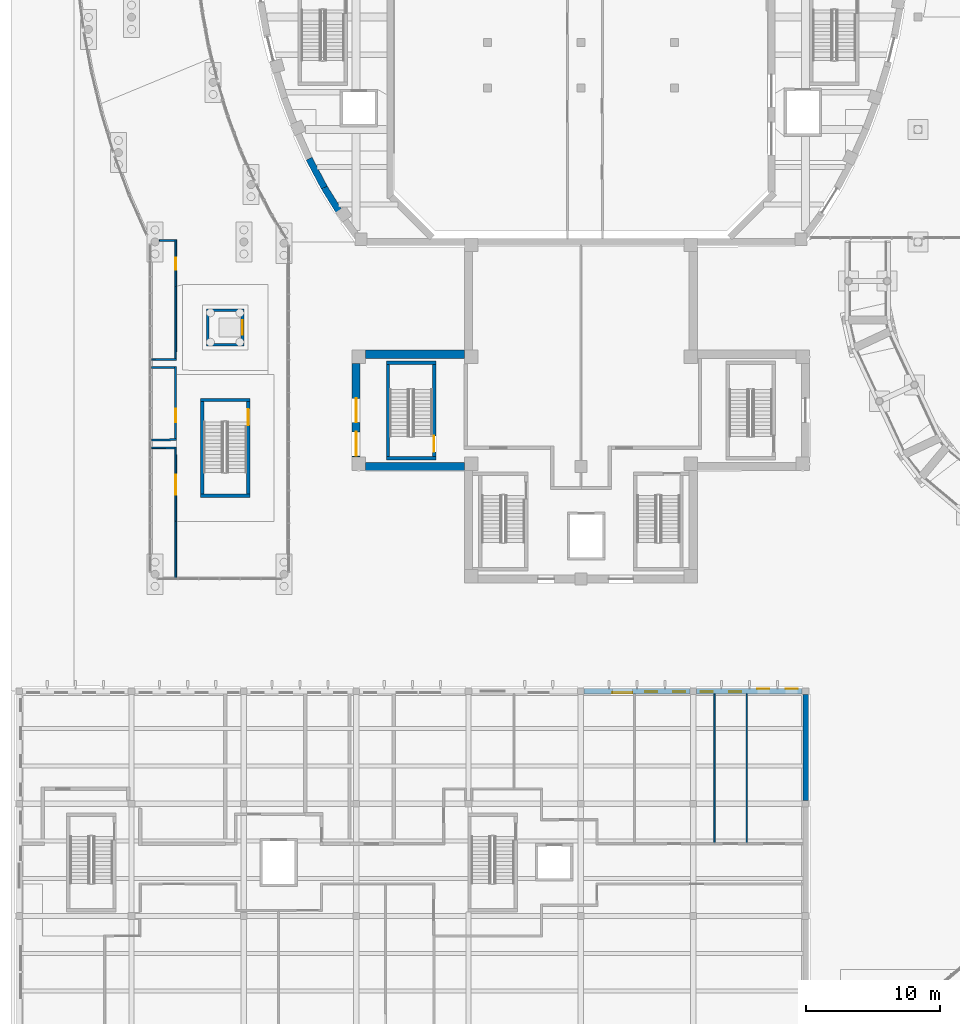
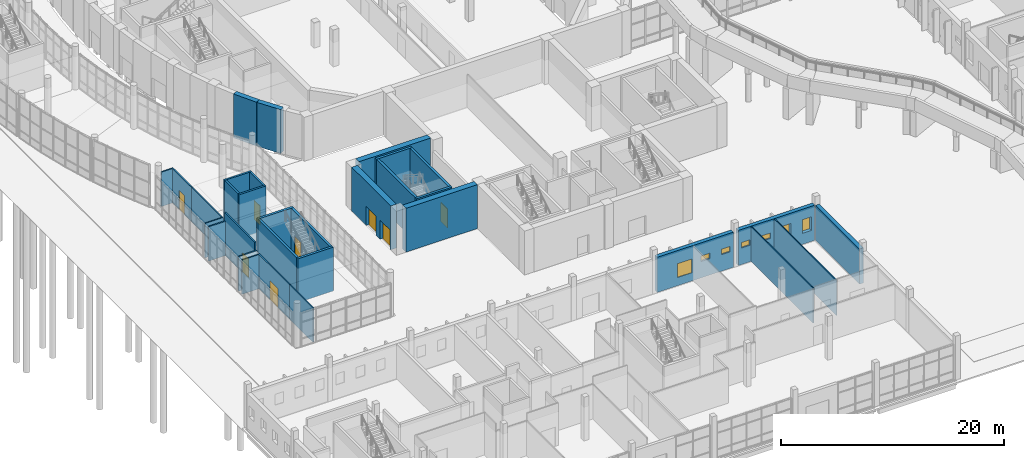
# One storey, part 56 of 110: 32 walls, 8 doors, 7 windows, 15 openings.
"""IFC4 building model written with IfcOpenShell, lengths in metres."""

from ifc_helpers import new_model, si_unit, direction, frame, frame_2d, origin, place, context, subcontext, project, spatial, rectangle, extrude, material, layer, layer_set, type_object, element, fill, save


model = new_model("IFC4")

# Units and contexts
model_context = context("Model", 3, precision=1e-05, world=origin(), true_north=direction((0.0, 1.0)))
body_context = subcontext(model_context, "Body", "Model", "MODEL_VIEW")
ifc_project = project(units=[si_unit("LENGTHUNIT", "METRE"), si_unit("AREAUNIT", "SQUARE_METRE"), si_unit("VOLUMEUNIT", "CUBIC_METRE"), si_unit("PLANEANGLEUNIT", "RADIAN"), si_unit("MASSUNIT", "GRAM", prefix="KILO")], contexts=[model_context])

# Site, building, storey
site_placement = place(None, origin())
site = spatial("IfcSite", under=ifc_project, at=site_placement, CompositionType="ELEMENT")
building_placement = place(site_placement, origin())
building = spatial("IfcBuilding", under=site, at=building_placement, Name="Larchfold Concert Hall", CompositionType="ELEMENT")
storey_placement = place(building_placement, origin())
storey = spatial("IfcBuildingStorey", under=building, at=storey_placement, Name="L00", CompositionType="ELEMENT", Elevation=0.0)

# Wall, opening, door
ifc_material_1 = material(Name="Plasterboard partition on steel studs", Category="steel")
ifc_layer_1 = layer(ifc_material_1, 0.125)
ifc_layer_set_1 = layer_set([ifc_layer_1], Name="Plasterboard partition on steel studs")
wall_type_1 = type_object("IfcWallType", Name="Corridor partition 125 EI 60", PredefinedType="PARTITIONING", material=ifc_layer_set_1)
wall_1_placement = place(storey_placement, frame((12.300048828125, 38.5, 0.0), z_axis=(0.0, 0.0, 1.0), x_axis=(-0.000175754644, 0.999999984555, 0.0)))
wall_1 = element("IfcWall", 1, at=wall_1_placement, inside=storey, type_object=wall_type_1, Name="Partition IW0164", PredefinedType="PARTITIONING", context=body_context, shape_type="SweptSolid", body=[
    extrude(rectangle(XDim=5.556396484375, YDim=0.125, at=frame_2d((2.7783203125, 0.0))), origin(), (0.0, 0.0, 1.0), 3.75),
])
opening_1_placement = place(wall_1_placement, frame((1.990234375, 0.0, 0.0)))
opening_1 = element("IfcOpeningElement", 2, at=opening_1_placement, cuts=wall_1, Name="Opening D-L00-150", PredefinedType="OPENING", context=body_context, shape_type="SweptSolid", body=[
    extrude(rectangle(XDim=1.5, YDim=2.10009765625, at=frame_2d((0.75, 1.050048828125))), frame((0.0, 0.072509765625, 0.0), z_axis=(0.0, -1.0, 0.0), x_axis=(1.0, 0.0, 0.0)), (0.0, 0.0, 1.0), 0.14501953125),
])
ifc_material_2 = material(Name="Timber door leaf", Category="wood")
door_type_1 = type_object("IfcDoorType", Name="Cafe, shop and cloakroom door pair 1500 x 2100 FD30S", OperationType="SINGLE_SWING_LEFT", PredefinedType="DOOR", material=ifc_material_2)
door_1_placement = place(opening_1_placement, origin())
door_1 = element("IfcDoor", 3, at=door_1_placement, inside=storey, type_object=door_type_1, Name="Door D-L00-150", OperationType="DOUBLE_DOOR_SINGLE_SWING", OverallHeight=2.10009765625, OverallWidth=1.5, PredefinedType="DOOR", context=body_context, shape_type="SweptSolid", body=[
    extrude(rectangle(XDim=1.5, YDim=2.10009765625, at=frame_2d((0.75, 1.050048828125))), frame((0.0, 0.02490234375, 0.0), z_axis=(0.0, -1.0, 0.0), x_axis=(1.0, 0.0, 0.0)), (0.0, 0.0, 1.0), 0.050048828125),
])
fill(opening_1, door_1)

# Walls
wall_2_placement = place(storey_placement, frame((12.236572265625, 43.994140625, 0.0), z_axis=(0.0, 0.0, 1.0), x_axis=(-0.99999393995, 0.003481388177, 0.0)))
element("IfcWall", 4, at=wall_2_placement, inside=storey, type_object=wall_type_1, Name="Partition IW0165", PredefinedType="PARTITIONING", context=body_context, shape_type="SweptSolid", body=[
    extrude(rectangle(XDim=1.753173828125, YDim=0.125, at=frame_2d((0.87646484375, 0.0))), origin(), (0.0, 0.0, 1.0), 3.75),
])
wall_3_placement = place(storey_placement, frame((10.4833984375, 50.599853515625, 0.0), z_axis=(0.0, 0.0, 1.0), x_axis=(0.999994288877, 0.003379676526, 0.0)))
element("IfcWall", 5, at=wall_3_placement, inside=storey, type_object=wall_type_1, Name="Partition IW0169", PredefinedType="PARTITIONING", context=body_context, shape_type="SweptSolid", body=[
    extrude(rectangle(XDim=1.878173828125, YDim=0.125, at=frame_2d((0.93896484375, 0.0))), origin(), (0.0, 0.0, 1.0), 3.75),
])
wall_4_placement = place(storey_placement, frame((12.299072265625, 50.66845703125, 0.0), z_axis=(0.0, 0.0, 1.0), x_axis=(0.00018072561, 0.999999983669, 0.0)))
element("IfcWall", 6, at=wall_4_placement, inside=storey, type_object=wall_type_1, Name="Partition IW0170", PredefinedType="PARTITIONING", context=body_context, shape_type="SweptSolid", body=[
    extrude(rectangle(XDim=5.403564453125, YDim=0.125, at=frame_2d((2.70166015625, 0.0))), origin(), (0.0, 0.0, 1.0), 3.75),
])
wall_5_placement = place(storey_placement, frame((12.300048828125, 38.5, 0.0), z_axis=(0.0, 0.0, 1.0), x_axis=(0.0, -1.0, 0.0)))
element("IfcWall", 7, at=wall_5_placement, inside=storey, type_object=wall_type_1, Name="Partition IW0171", PredefinedType="PARTITIONING", context=body_context, shape_type="SweptSolid", body=[
    extrude(rectangle(XDim=4.22509765625, YDim=0.125, at=frame_2d((2.112548828125, 0.0))), origin(), (0.0, 0.0, 1.0), 3.75),
])

# Wall, opening, door
wall_6_placement = place(storey_placement, frame((12.300048828125, 59.5625, 0.0), z_axis=(0.0, 0.0, 1.0), x_axis=(0.0, -1.0, 0.0)))
wall_6 = element("IfcWall", 8, at=wall_6_placement, inside=storey, type_object=wall_type_1, Name="Partition IW0172", PredefinedType="PARTITIONING", context=body_context, shape_type="SweptSolid", body=[
    extrude(rectangle(XDim=3.490478515625, YDim=0.125, at=frame_2d((1.7451171875, 0.0))), origin(), (0.0, 0.0, 1.0), 3.75),
])
opening_2_placement = place(wall_6_placement, frame((1.33642578125, 0.0, 0.0)))
opening_2 = element("IfcOpeningElement", 9, at=opening_2_placement, cuts=wall_6, Name="Opening D-L00-152", PredefinedType="OPENING", context=body_context, shape_type="SweptSolid", body=[
    extrude(rectangle(XDim=0.89990234375, YDim=2.10009765625, at=frame_2d((0.449951171875, 1.050048828125))), frame((0.0, 0.072509765625, 0.0), z_axis=(0.0, -1.0, 0.0), x_axis=(1.0, 0.0, 0.0)), (0.0, 0.0, 1.0), 0.14501953125),
])
ifc_material_3 = material(Name="Timber door leaf", Category="wood")
door_type_2 = type_object("IfcDoorType", Name="Public toilet door 900 x 2100 FD30S", OperationType="SINGLE_SWING_LEFT", PredefinedType="DOOR", material=ifc_material_3)
door_2_placement = place(opening_2_placement, origin())
door_2 = element("IfcDoor", 10, at=door_2_placement, inside=storey, type_object=door_type_2, Name="Door D-L00-152", OperationType="SINGLE_SWING_RIGHT", OverallHeight=2.10009765625, OverallWidth=0.89990234375, PredefinedType="DOOR", context=body_context, shape_type="SweptSolid", body=[
    extrude(rectangle(XDim=0.89990234375, YDim=2.10009765625, at=frame_2d((0.449951171875, 1.050048828125))), frame((0.0, 0.02490234375, 0.0), z_axis=(0.0, -1.0, 0.0), x_axis=(1.0, 0.0, 0.0)), (0.0, 0.0, 1.0), 0.050048828125),
])
fill(opening_2, door_2)

# Walls
wall_7_placement = place(storey_placement, frame((11.078125, 59.5, 0.0), z_axis=(0.0, 0.0, 1.0), x_axis=(1.0, 0.0, 0.0)))
element("IfcWall", 11, at=wall_7_placement, inside=storey, type_object=wall_type_1, Name="Partition IW0173", PredefinedType="PARTITIONING", context=body_context, shape_type="SweptSolid", body=[
    extrude(rectangle(XDim=1.159423828125, YDim=0.125, at=frame_2d((0.57958984375, 0.0))), origin(), (0.0, 0.0, 1.0), 3.75),
])
ifc_material_4 = material(Name="Larch cladding on mineral wool and CLT", Category="wood")
ifc_layer_2 = layer(ifc_material_4, 0.39990234375)
ifc_layer_set_2 = layer_set([ifc_layer_2], Name="Larch cladding on mineral wool and CLT")
wall_type_2 = type_object("IfcWallType", Name="Larch clad infill wall 400", PredefinedType="SOLIDWALL", material=ifc_layer_set_2)
wall_8_placement = place(storey_placement, frame((59.39990234375, 17.64990234375, 0.0), z_axis=(0.0, 0.0, 1.0), x_axis=(0.0, 1.0, 0.0)))
element("IfcWall", 12, at=wall_8_placement, inside=storey, type_object=wall_type_2, Name="Infill wall W5003", PredefinedType="SOLIDWALL", context=body_context, shape_type="SweptSolid", body=[
    extrude(rectangle(XDim=7.900146484375, YDim=0.39990234375, at=frame_2d((3.9501953125, 0.0))), origin(), (0.0, 0.0, 1.0), 3.840087890625),
])

# Wall, openings, windows
wall_9_placement = place(storey_placement, frame((59.14990234375, 25.800048828125, 0.0), z_axis=(0.0, 0.0, 1.0), x_axis=(-1.0, 0.0, 0.0)))
wall_9 = element("IfcWall", 13, at=wall_9_placement, inside=storey, type_object=wall_type_2, Name="Infill wall W5004", PredefinedType="SOLIDWALL", context=body_context, shape_type="SweptSolid", body=[
    extrude(rectangle(XDim=7.89990234375, YDim=0.39990234375, at=frame_2d((3.949951171875, 0.0))), origin(), (0.0, 0.0, 1.0), 3.840087890625),
])
opening_3_placement = place(wall_9_placement, frame((6.699951171875, 0.0, 1.800048828125)))
opening_3 = element("IfcOpeningElement", 14, at=opening_3_placement, cuts=wall_9, Name="Opening WN-L00-001", PredefinedType="OPENING", context=body_context, shape_type="SweptSolid", body=[
    extrude(rectangle(XDim=0.89990234375, YDim=0.60009765625, at=frame_2d((0.449951171875, 0.300048828125))), frame((0.0, 0.2099609375, 0.0), z_axis=(0.0, -1.0, 0.0), x_axis=(1.0, 0.0, 0.0)), (0.0, 0.0, 1.0), 0.419921875),
])
opening_4_placement = place(wall_9_placement, frame((4.5498046875, 0.0, 1.800048828125)))
opening_4 = element("IfcOpeningElement", 15, at=opening_4_placement, cuts=wall_9, Name="Opening WN-L00-002", PredefinedType="OPENING", context=body_context, shape_type="SweptSolid", body=[
    extrude(rectangle(XDim=0.89990234375, YDim=0.60009765625, at=frame_2d((0.449951171875, 0.300048828125))), frame((0.0, 0.2099609375, 0.0), z_axis=(0.0, -1.0, 0.0), x_axis=(1.0, 0.0, 0.0)), (0.0, 0.0, 1.0), 0.419921875),
])
opening_5_placement = place(wall_9_placement, frame((2.449951171875, 0.0, 1.199951171875)))
opening_5 = element("IfcOpeningElement", 16, at=opening_5_placement, cuts=wall_9, Name="Opening WN-L00-003", PredefinedType="OPENING", context=body_context, shape_type="SweptSolid", body=[
    extrude(rectangle(XDim=0.89990234375, YDim=1.5, at=frame_2d((0.449951171875, 0.75))), frame((0.0, 0.2099609375, 0.0), z_axis=(0.0, -1.0, 0.0), x_axis=(1.0, 0.0, 0.0)), (0.0, 0.0, 1.0), 0.419921875),
])
opening_6_placement = place(wall_9_placement, frame((0.349853515625, 0.0, 1.199951171875)))
opening_6 = element("IfcOpeningElement", 17, at=opening_6_placement, cuts=wall_9, Name="Opening WN-L00-004", PredefinedType="OPENING", context=body_context, shape_type="SweptSolid", body=[
    extrude(rectangle(XDim=0.89990234375, YDim=1.5, at=frame_2d((0.449951171875, 0.75))), frame((0.0, 0.2099609375, 0.0), z_axis=(0.0, -1.0, 0.0), x_axis=(1.0, 0.0, 0.0)), (0.0, 0.0, 1.0), 0.419921875),
])
ifc_material_5 = material(Name="Anodised graphite aluminium frame with obscured glass", Category="aluminium")
window_type_1 = type_object("IfcWindowType", Name="Toilet high window 900x600", PartitioningType="SINGLE_PANEL", PredefinedType="WINDOW", material=ifc_material_5)
window_1_placement = place(opening_3_placement, origin())
window_1 = element("IfcWindow", 18, at=window_1_placement, inside=storey, type_object=window_type_1, Name="Window WN-L00-001", OverallHeight=0.60009765625, OverallWidth=0.89990234375, PartitioningType="SINGLE_PANEL", PredefinedType="WINDOW", context=body_context, shape_type="SweptSolid", body=[
    extrude(rectangle(XDim=0.89990234375, YDim=0.60009765625, at=frame_2d((0.449951171875, 0.300048828125))), frame((0.0, 0.06005859375, 0.0), z_axis=(0.0, -1.0, 0.0), x_axis=(1.0, 0.0, 0.0)), (0.0, 0.0, 1.0), 0.06005859375),
])
fill(opening_3, window_1)
window_2_placement = place(opening_4_placement, origin())
window_2 = element("IfcWindow", 19, at=window_2_placement, inside=storey, type_object=window_type_1, Name="Window WN-L00-002", OverallHeight=0.60009765625, OverallWidth=0.89990234375, PartitioningType="SINGLE_PANEL", PredefinedType="WINDOW", context=body_context, shape_type="SweptSolid", body=[
    extrude(rectangle(XDim=0.89990234375, YDim=0.60009765625, at=frame_2d((0.449951171875, 0.300048828125))), frame((0.0, 0.06005859375, 0.0), z_axis=(0.0, -1.0, 0.0), x_axis=(1.0, 0.0, 0.0)), (0.0, 0.0, 1.0), 0.06005859375),
])
fill(opening_4, window_2)
ifc_material_6 = material(Name="Anodised graphite aluminium frame with glass", Category="aluminium")
window_type_2 = type_object("IfcWindowType", Name="Vent window 900x1500", PartitioningType="SINGLE_PANEL", PredefinedType="WINDOW", material=ifc_material_6)
window_3_placement = place(opening_5_placement, origin())
window_3 = element("IfcWindow", 20, at=window_3_placement, inside=storey, type_object=window_type_2, Name="Window WN-L00-003", OverallHeight=1.5, OverallWidth=0.89990234375, PartitioningType="SINGLE_PANEL", PredefinedType="WINDOW", context=body_context, shape_type="SweptSolid", body=[
    extrude(rectangle(XDim=0.89990234375, YDim=1.5, at=frame_2d((0.449951171875, 0.75))), frame((0.0, -0.139892578125, 0.0), z_axis=(0.0, -1.0, 0.0), x_axis=(1.0, 0.0, 0.0)), (0.0, 0.0, 1.0), 0.06005859375),
])
fill(opening_5, window_3)
window_4_placement = place(opening_6_placement, origin())
window_4 = element("IfcWindow", 21, at=window_4_placement, inside=storey, type_object=window_type_2, Name="Window WN-L00-004", OverallHeight=1.5, OverallWidth=0.89990234375, PartitioningType="SINGLE_PANEL", PredefinedType="WINDOW", context=body_context, shape_type="SweptSolid", body=[
    extrude(rectangle(XDim=0.89990234375, YDim=1.5, at=frame_2d((0.449951171875, 0.75))), frame((0.0, -0.139892578125, 0.0), z_axis=(0.0, -1.0, 0.0), x_axis=(1.0, 0.0, 0.0)), (0.0, 0.0, 1.0), 0.06005859375),
])
fill(opening_6, window_4)

wall_10_placement = place(storey_placement, frame((50.75, 25.800048828125, 0.0), z_axis=(0.0, 0.0, 1.0), x_axis=(-1.0, 0.0, 0.0)))
wall_10 = element("IfcWall", 22, at=wall_10_placement, inside=storey, type_object=wall_type_2, Name="Infill wall W5005", PredefinedType="SOLIDWALL", context=body_context, shape_type="SweptSolid", body=[
    extrude(rectangle(XDim=7.89990234375, YDim=0.39990234375, at=frame_2d((3.949951171875, 0.0))), origin(), (0.0, 0.0, 1.0), 3.840087890625),
])
opening_7_placement = place(wall_10_placement, frame((4.300048828125, 0.0, 0.89990234375)))
opening_7 = element("IfcOpeningElement", 23, at=opening_7_placement, cuts=wall_10, Name="Opening WN-L00-005", PredefinedType="OPENING", context=body_context, shape_type="SweptSolid", body=[
    extrude(rectangle(XDim=1.5, YDim=1.5, at=frame_2d((0.75, 0.75))), frame((0.0, 0.2099609375, 0.0), z_axis=(0.0, -1.0, 0.0), x_axis=(1.0, 0.0, 0.0)), (0.0, 0.0, 1.0), 0.419921875),
])
opening_8_placement = place(wall_10_placement, frame((2.449951171875, 0.0, 1.800048828125)))
opening_8 = element("IfcOpeningElement", 24, at=opening_8_placement, cuts=wall_10, Name="Opening WN-L00-006", PredefinedType="OPENING", context=body_context, shape_type="SweptSolid", body=[
    extrude(rectangle(XDim=0.89990234375, YDim=0.60009765625, at=frame_2d((0.449951171875, 0.300048828125))), frame((0.0, 0.2099609375, 0.0), z_axis=(0.0, -1.0, 0.0), x_axis=(1.0, 0.0, 0.0)), (0.0, 0.0, 1.0), 0.419921875),
])
opening_9_placement = place(wall_10_placement, frame((0.35009765625, 0.0, 1.800048828125)))
opening_9 = element("IfcOpeningElement", 25, at=opening_9_placement, cuts=wall_10, Name="Opening WN-L00-007", PredefinedType="OPENING", context=body_context, shape_type="SweptSolid", body=[
    extrude(rectangle(XDim=0.89990234375, YDim=0.60009765625, at=frame_2d((0.449951171875, 0.300048828125))), frame((0.0, 0.2099609375, 0.0), z_axis=(0.0, -1.0, 0.0), x_axis=(1.0, 0.0, 0.0)), (0.0, 0.0, 1.0), 0.419921875),
])
ifc_material_7 = material(Name="Anodised graphite aluminium frame with glass", Category="aluminium")
window_type_3 = type_object("IfcWindowType", Name="Studio window 1500x1500", PartitioningType="DOUBLE_PANEL_VERTICAL", PredefinedType="WINDOW", material=ifc_material_7)
window_5_placement = place(opening_7_placement, origin())
window_5 = element("IfcWindow", 26, at=window_5_placement, inside=storey, type_object=window_type_3, Name="Window WN-L00-005", OverallHeight=1.5, OverallWidth=1.5, PartitioningType="DOUBLE_PANEL_VERTICAL", PredefinedType="WINDOW", context=body_context, shape_type="SweptSolid", body=[
    extrude(rectangle(XDim=1.5, YDim=1.5, at=frame_2d((0.75, 0.75))), frame((0.0, 0.150146484375, 0.0), z_axis=(0.0, -1.0, 0.0), x_axis=(1.0, 0.0, 0.0)), (0.0, 0.0, 1.0), 0.06005859375),
])
fill(opening_7, window_5)
window_6_placement = place(opening_8_placement, origin())
window_6 = element("IfcWindow", 27, at=window_6_placement, inside=storey, type_object=window_type_1, Name="Window WN-L00-006", OverallHeight=0.60009765625, OverallWidth=0.89990234375, PartitioningType="SINGLE_PANEL", PredefinedType="WINDOW", context=body_context, shape_type="SweptSolid", body=[
    extrude(rectangle(XDim=0.89990234375, YDim=0.60009765625, at=frame_2d((0.449951171875, 0.300048828125))), frame((0.0, 0.06005859375, 0.0), z_axis=(0.0, -1.0, 0.0), x_axis=(1.0, 0.0, 0.0)), (0.0, 0.0, 1.0), 0.06005859375),
])
fill(opening_8, window_6)
window_7_placement = place(opening_9_placement, origin())
window_7 = element("IfcWindow", 28, at=window_7_placement, inside=storey, type_object=window_type_1, Name="Window WN-L00-007", OverallHeight=0.60009765625, OverallWidth=0.89990234375, PartitioningType="SINGLE_PANEL", PredefinedType="WINDOW", context=body_context, shape_type="SweptSolid", body=[
    extrude(rectangle(XDim=0.89990234375, YDim=0.60009765625, at=frame_2d((0.449951171875, 0.300048828125))), frame((0.0, 0.06005859375, 0.0), z_axis=(0.0, -1.0, 0.0), x_axis=(1.0, 0.0, 0.0)), (0.0, 0.0, 1.0), 0.06005859375),
])
fill(opening_9, window_7)

# Wall
ifc_material_8 = material(Name="Plasterboard partition on steel studs", Category="steel")
ifc_layer_3 = layer(ifc_material_8, 0.14990234375)
ifc_layer_set_3 = layer_set([ifc_layer_3], Name="Plasterboard partition on steel studs")
wall_type_3 = type_object("IfcWallType", Name="Shaft and plant partition 150 EI 120", PredefinedType="PARTITIONING", material=ifc_layer_set_3)
wall_11_placement = place(storey_placement, frame((10.4833984375, 44.599609375, 0.0), z_axis=(0.0, 0.0, 1.0), x_axis=(0.99998667393, 0.005162553815, 0.0)))
element("IfcWall", 29, at=wall_11_placement, inside=storey, type_object=wall_type_3, Name="Partition IW0166", PredefinedType="PARTITIONING", context=body_context, shape_type="SweptSolid", body=[
    extrude(rectangle(XDim=1.8916015625, YDim=0.14990234375, at=frame_2d((0.94580078125, 0.0))), origin(), (0.0, 0.0, 1.0), 3.75),
])

# Wall, opening, door
wall_12_placement = place(storey_placement, frame((12.300048828125, 44.68408203125, 0.0), z_axis=(0.0, 0.0, 1.0), x_axis=(-0.000181348322, 0.999999983556, 0.0)))
wall_12 = element("IfcWall", 30, at=wall_12_placement, inside=storey, type_object=wall_type_3, Name="Partition IW0167", PredefinedType="PARTITIONING", context=body_context, shape_type="SweptSolid", body=[
    extrude(rectangle(XDim=5.385009765625, YDim=0.14990234375, at=frame_2d((2.6923828125, 0.0))), origin(), (0.0, 0.0, 1.0), 4.64990234375),
])
opening_10_placement = place(wall_12_placement, frame((1.235107421875, 0.0, 0.0)))
opening_10 = element("IfcOpeningElement", 31, at=opening_10_placement, cuts=wall_12, Name="Opening D-L00-151", PredefinedType="OPENING", context=body_context, shape_type="SweptSolid", body=[
    extrude(rectangle(XDim=1.0, YDim=2.10009765625, at=frame_2d((0.5, 1.050048828125))), frame((0.0, 0.0849609375, 0.0), z_axis=(0.0, -1.0, 0.0), x_axis=(1.0, 0.0, 0.0)), (0.0, 0.0, 1.0), 0.169921875),
])
ifc_material_9 = material(Name="Timber door leaf", Category="wood")
door_type_3 = type_object("IfcDoorType", Name="Store door 1000 x 2100 FD60", OperationType="SINGLE_SWING_LEFT", PredefinedType="DOOR", material=ifc_material_9)
door_3_placement = place(opening_10_placement, origin())
door_3 = element("IfcDoor", 32, at=door_3_placement, inside=storey, type_object=door_type_3, Name="Door D-L00-151", OperationType="SINGLE_SWING_LEFT", OverallHeight=2.10009765625, OverallWidth=1.0, PredefinedType="DOOR", context=body_context, shape_type="SweptSolid", body=[
    extrude(rectangle(XDim=1.0, YDim=2.10009765625, at=frame_2d((0.5, 1.050048828125))), frame((0.0, 0.02490234375, 0.0), z_axis=(0.0, -1.0, 0.0), x_axis=(1.0, 0.0, 0.0)), (0.0, 0.0, 1.0), 0.050048828125),
])
fill(opening_10, door_3)

# Walls
wall_13_placement = place(storey_placement, frame((12.22412109375, 49.994140625, 0.0), z_axis=(0.0, 0.0, 1.0), x_axis=(-0.999993852947, 0.003506289807, 0.0)))
element("IfcWall", 33, at=wall_13_placement, inside=storey, type_object=wall_type_3, Name="Partition IW0168", PredefinedType="PARTITIONING", context=body_context, shape_type="SweptSolid", body=[
    extrude(rectangle(XDim=1.74072265625, YDim=0.14990234375, at=frame_2d((0.870361328125, 0.0))), origin(), (0.0, 0.0, 1.0), 3.75),
])
ifc_material_10 = material(Name="Plasterboard partition on steel studs", Category="steel")
ifc_layer_4 = layer(ifc_material_10, 0.10009765625)
ifc_layer_set_4 = layer_set([ifc_layer_4], Name="Plasterboard partition on steel studs")
wall_type_4 = type_object("IfcWallType", Name="Stud partition 100", PredefinedType="PARTITIONING", material=ifc_layer_set_4)
for number, where, z_axis, x_axis, name in (
    (34, (52.60009765625, 25.60009765625, 0.0), (0.0, 0.0, 1.0), (0.0, -1.0, 0.0), "Partition IW0162"),
    (35, (55.0, 25.60009765625, 0.0), (0.0, 0.0, 1.0), (0.0, -1.0, 0.0), "Partition IW0163"),
):
    element("IfcWall", number, at=place(storey_placement, frame(where, z_axis=z_axis, x_axis=x_axis)), inside=storey, type_object=wall_type_4, Name=name, PredefinedType="PARTITIONING", context=body_context, shape_type="SweptSolid", body=[
        extrude(rectangle(XDim=11.135009765625, YDim=0.10009765625, at=frame_2d((5.5673828125, 0.0))), origin(), (0.0, 0.0, 1.0), 3.840087890625),
    ])
ifc_material_11 = material(Name="Concrete C40/50", Category="concrete")
ifc_layer_5 = layer(ifc_material_11, 0.199951171875)
ifc_layer_set_5 = layer_set([ifc_layer_5], Name="Concrete C40/50")
wall_type_5 = type_object("IfcWallType", Name="Wall RC 200 lift shaft", PredefinedType="SOLIDWALL", material=ifc_layer_set_5)
for number, where, z_axis, x_axis, name in (
    (36, (14.60009765625, 51.7001953125, -1.39990234375), (0.0, 0.0, 1.0), (1.0, 0.0, 0.0), "Wall W0185"),
    (37, (14.60009765625, 54.2998046875, -1.39990234375), (0.0, 0.0, 1.0), (1.0, 0.0, 0.0), "Wall W0186"),
):
    element("IfcWall", number, at=place(storey_placement, frame(where, z_axis=z_axis, x_axis=x_axis)), inside=storey, type_object=wall_type_5, Name=name, PredefinedType="SOLIDWALL", context=body_context, shape_type="SweptSolid", body=[
        extrude(rectangle(XDim=2.7998046875, YDim=0.199951171875, at=frame_2d((1.39990234375, 0.0))), origin(), (0.0, 0.0, 1.0), 6.199951171875),
    ])
wall_14_placement = place(storey_placement, frame((14.7001953125, 51.800048828125, -1.39990234375), z_axis=(0.0, 0.0, 1.0), x_axis=(0.0, 1.0, 0.0)))
element("IfcWall", 38, at=wall_14_placement, inside=storey, type_object=wall_type_5, Name="Wall W0187", PredefinedType="SOLIDWALL", context=body_context, shape_type="SweptSolid", body=[
    extrude(rectangle(XDim=2.39990234375, YDim=0.199951171875, at=frame_2d((1.199951171875, 0.0))), origin(), (0.0, 0.0, 1.0), 6.199951171875),
])

# Wall, opening, door
wall_15_placement = place(storey_placement, frame((17.2998046875, 51.800048828125, -1.39990234375), z_axis=(0.0, 0.0, 1.0), x_axis=(0.0, 1.0, 0.0)))
wall_15 = element("IfcWall", 39, at=wall_15_placement, inside=storey, type_object=wall_type_5, Name="Wall W0188", PredefinedType="SOLIDWALL", context=body_context, shape_type="SweptSolid", body=[
    extrude(rectangle(XDim=2.39990234375, YDim=0.199951171875, at=frame_2d((1.199951171875, 0.0))), origin(), (0.0, 0.0, 1.0), 6.199951171875),
])
opening_11_placement = place(wall_15_placement, frame((0.64990234375, 0.0, 1.39990234375)))
opening_11 = element("IfcOpeningElement", 40, at=opening_11_placement, cuts=wall_15, Name="Opening LD-LF12", PredefinedType="OPENING", context=body_context, shape_type="SweptSolid", body=[
    extrude(rectangle(XDim=1.10009765625, YDim=2.10009765625, at=frame_2d((0.550048828125, 1.050048828125))), frame((0.0, 0.10986328125, 0.0), z_axis=(0.0, -1.0, 0.0), x_axis=(1.0, 0.0, 0.0)), (0.0, 0.0, 1.0), 0.219970703125),
])
ifc_material_12 = material(Name="Stainless steel sliding leaves", Category="steel")
door_type_4 = type_object("IfcDoorType", Name="Lift landing door sliding 1100 x 2100", OperationType="SLIDING_TO_LEFT", PredefinedType="DOOR", material=ifc_material_12)
door_4_placement = place(opening_11_placement, origin())
door_4 = element("IfcDoor", 41, at=door_4_placement, inside=storey, type_object=door_type_4, Name="Lift landing door LF12", OperationType="SLIDING_TO_LEFT", OverallHeight=2.10009765625, OverallWidth=1.10009765625, PredefinedType="DOOR", context=body_context, shape_type="SweptSolid", body=[
    extrude(rectangle(XDim=1.10009765625, YDim=2.10009765625, at=frame_2d((0.550048828125, 1.050048828125))), frame((0.0, 0.02490234375, 0.0), z_axis=(0.0, -1.0, 0.0), x_axis=(1.0, 0.0, 0.0)), (0.0, 0.0, 1.0), 0.050048828125),
])
fill(opening_11, door_4)

# Walls
ifc_material_13 = material(Name="Concrete C40/50", Category="concrete")
ifc_layer_6 = layer(ifc_material_13, 0.25)
ifc_layer_set_6 = layer_set([ifc_layer_6], Name="Concrete C40/50")
wall_type_6 = type_object("IfcWallType", Name="Wall RC 250 stair core", PredefinedType="SOLIDWALL", material=ifc_layer_set_6)
for number, where, z_axis, x_axis, name in (
    (42, (28.050048828125, 43.22509765625, 0.0), (0.0, 0.0, 1.0), (1.0, 0.0, 0.0), "Wall W0065"),
    (43, (28.050048828125, 50.375, 0.0), (0.0, 0.0, 1.0), (1.0, 0.0, 0.0), "Wall W0066"),
):
    element("IfcWall", number, at=place(storey_placement, frame(where, z_axis=z_axis, x_axis=x_axis)), inside=storey, type_object=wall_type_6, Name=name, PredefinedType="SOLIDWALL", context=body_context, shape_type="SweptSolid", body=[
        extrude(rectangle(XDim=3.699951171875, YDim=0.25, at=frame_2d((1.85009765625, 0.0))), origin(), (0.0, 0.0, 1.0), 4.800048828125),
    ])
wall_16_placement = place(storey_placement, frame((28.175048828125, 43.35009765625, 0.0), z_axis=(0.0, 0.0, 1.0), x_axis=(0.0, 1.0, 0.0)))
element("IfcWall", 44, at=wall_16_placement, inside=storey, type_object=wall_type_6, Name="Wall W0067", PredefinedType="SOLIDWALL", context=body_context, shape_type="SweptSolid", body=[
    extrude(rectangle(XDim=6.89990234375, YDim=0.25, at=frame_2d((3.449951171875, 0.0))), origin(), (0.0, 0.0, 1.0), 4.800048828125),
])

# Wall, opening, door
wall_17_placement = place(storey_placement, frame((31.625, 43.35009765625, 0.0), z_axis=(0.0, 0.0, 1.0), x_axis=(0.0, 1.0, 0.0)))
wall_17 = element("IfcWall", 45, at=wall_17_placement, inside=storey, type_object=wall_type_6, Name="Wall W0068", PredefinedType="SOLIDWALL", context=body_context, shape_type="SweptSolid", body=[
    extrude(rectangle(XDim=6.89990234375, YDim=0.25, at=frame_2d((3.449951171875, 0.0))), origin(), (0.0, 0.0, 1.0), 4.800048828125),
])
opening_12_placement = place(wall_17_placement, frame((0.35009765625, 0.0, 0.0)))
opening_12 = element("IfcOpeningElement", 46, at=opening_12_placement, cuts=wall_17, Name="Opening D-L00-164", PredefinedType="OPENING", context=body_context, shape_type="SweptSolid", body=[
    extrude(rectangle(XDim=1.199951171875, YDim=2.10009765625, at=frame_2d((0.60009765625, 1.050048828125))), frame((0.0, 0.135009765625, 0.0), z_axis=(0.0, -1.0, 0.0), x_axis=(1.0, 0.0, 0.0)), (0.0, 0.0, 1.0), 0.27001953125),
])
ifc_material_14 = material(Name="Timber door leaf", Category="wood")
door_type_5 = type_object("IfcDoorType", Name="Stair enclosure door pair 1200 x 2100 FD60", OperationType="SINGLE_SWING_LEFT", PredefinedType="DOOR", material=ifc_material_14)
door_5_placement = place(opening_12_placement, origin())
door_5 = element("IfcDoor", 47, at=door_5_placement, inside=storey, type_object=door_type_5, Name="Door D-L00-164", OperationType="DOUBLE_DOOR_SINGLE_SWING", OverallHeight=2.10009765625, OverallWidth=1.199951171875, PredefinedType="DOOR", context=body_context, shape_type="SweptSolid", body=[
    extrude(rectangle(XDim=1.199951171875, YDim=2.10009765625, at=frame_2d((0.60009765625, 1.050048828125))), frame((0.0, 0.02490234375, 0.0), z_axis=(0.0, -1.0, 0.0), x_axis=(1.0, 0.0, 0.0)), (0.0, 0.0, 1.0), 0.050048828125),
])
fill(opening_12, door_5)

# Walls
for number, where, z_axis, x_axis, name in (
    (48, (14.14990234375, 40.425048828125, 0.0), (0.0, 0.0, 1.0), (1.0, 0.0, 0.0), "Wall W0121"),
    (49, (14.14990234375, 47.574951171875, 0.0), (0.0, 0.0, 1.0), (1.0, 0.0, 0.0), "Wall W0122"),
):
    element("IfcWall", number, at=place(storey_placement, frame(where, z_axis=z_axis, x_axis=x_axis)), inside=storey, type_object=wall_type_6, Name=name, PredefinedType="SOLIDWALL", context=body_context, shape_type="SweptSolid", body=[
        extrude(rectangle(XDim=3.7001953125, YDim=0.25, at=frame_2d((1.85009765625, 0.0))), origin(), (0.0, 0.0, 1.0), 4.800048828125),
    ])
wall_18_placement = place(storey_placement, frame((14.27490234375, 40.550048828125, 0.0), z_axis=(0.0, 0.0, 1.0), x_axis=(0.0, 1.0, 0.0)))
element("IfcWall", 50, at=wall_18_placement, inside=storey, type_object=wall_type_6, Name="Wall W0123", PredefinedType="SOLIDWALL", context=body_context, shape_type="SweptSolid", body=[
    extrude(rectangle(XDim=6.89990234375, YDim=0.25, at=frame_2d((3.449951171875, 0.0))), origin(), (0.0, 0.0, 1.0), 4.800048828125),
])

# Wall, opening, door
wall_19_placement = place(storey_placement, frame((17.72509765625, 40.550048828125, 0.0), z_axis=(0.0, 0.0, 1.0), x_axis=(0.0, 1.0, 0.0)))
wall_19 = element("IfcWall", 51, at=wall_19_placement, inside=storey, type_object=wall_type_6, Name="Wall W0124", PredefinedType="SOLIDWALL", context=body_context, shape_type="SweptSolid", body=[
    extrude(rectangle(XDim=6.89990234375, YDim=0.25, at=frame_2d((3.449951171875, 0.0))), origin(), (0.0, 0.0, 1.0), 4.800048828125),
])
opening_13_placement = place(wall_19_placement, frame((5.14990234375, 0.0, 0.0)))
opening_13 = element("IfcOpeningElement", 52, at=opening_13_placement, cuts=wall_19, Name="Opening D-L00-176", PredefinedType="OPENING", context=body_context, shape_type="SweptSolid", body=[
    extrude(rectangle(XDim=1.199951171875, YDim=2.10009765625, at=frame_2d((0.60009765625, 1.050048828125))), frame((0.0, 0.135009765625, 0.0), z_axis=(0.0, -1.0, 0.0), x_axis=(1.0, 0.0, 0.0)), (0.0, 0.0, 1.0), 0.27001953125),
])
door_6_placement = place(opening_13_placement, origin())
door_6 = element("IfcDoor", 53, at=door_6_placement, inside=storey, type_object=door_type_5, Name="Door D-L00-176", OperationType="DOUBLE_DOOR_SINGLE_SWING", OverallHeight=2.10009765625, OverallWidth=1.199951171875, PredefinedType="DOOR", context=body_context, shape_type="SweptSolid", body=[
    extrude(rectangle(XDim=1.199951171875, YDim=2.10009765625, at=frame_2d((0.60009765625, 1.050048828125))), frame((0.0, 0.02490234375, 0.0), z_axis=(0.0, -1.0, 0.0), x_axis=(1.0, 0.0, 0.0)), (0.0, 0.0, 1.0), 0.050048828125),
])
fill(opening_13, door_6)

# Walls
ifc_material_15 = material(Name="Concrete C30/37", Category="concrete")
ifc_layer_7 = layer(ifc_material_15, 0.5)
ifc_layer_set_7 = layer_set([ifc_layer_7], Name="Concrete C30/37")
wall_type_7 = type_object("IfcWallType", Name="Wall RC 500 drum facade", PredefinedType="SOLIDWALL", material=ifc_layer_set_7)
wall_20_placement = place(storey_placement, frame((22.27197265625, 65.621826171875, 0.0), z_axis=(0.0, 0.0, 1.0), x_axis=(0.466448872517, -0.884548161112, 0.0)))
element("IfcWall", 54, at=wall_20_placement, inside=storey, type_object=wall_type_7, Name="Wall DW047", PredefinedType="SOLIDWALL", context=body_context, shape_type="SweptSolid", body=[
    extrude(rectangle(XDim=2.448974609375, YDim=0.5, at=frame_2d((1.224609375, 0.0))), origin(), (0.0, 0.0, 1.0), 4.800048828125),
])
wall_21_placement = place(storey_placement, frame((23.414306640625, 63.45556640625, 0.0), z_axis=(0.0, 0.0, 1.0), x_axis=(0.527702820527, -0.849429063082, 0.0)))
element("IfcWall", 55, at=wall_21_placement, inside=storey, type_object=wall_type_7, Name="Wall DW048", PredefinedType="SOLIDWALL", context=body_context, shape_type="SweptSolid", body=[
    extrude(rectangle(XDim=2.44873046875, YDim=0.5, at=frame_2d((1.224365234375, 0.0))), origin(), (0.0, 0.0, 1.0), 4.800048828125),
])
ifc_material_16 = material(Name="Concrete C40/50", Category="concrete")
ifc_layer_8 = layer(ifc_material_16, 0.60009765625)
ifc_layer_set_8 = layer_set([ifc_layer_8], Name="Concrete C40/50")
wall_type_8 = type_object("IfcWallType", Name="Wall RC 600 stage house", PredefinedType="SOLIDWALL", material=ifc_layer_set_8)
wall_22_placement = place(storey_placement, frame((33.89990234375, 51.0, 0.0), z_axis=(0.0, 0.0, 1.0), x_axis=(-1.0, 0.0, 0.0)))
element("IfcWall", 56, at=wall_22_placement, inside=storey, type_object=wall_type_8, Name="Wall W0013", PredefinedType="SOLIDWALL", context=body_context, shape_type="SweptSolid", body=[
    extrude(rectangle(XDim=7.39990234375, YDim=0.60009765625, at=frame_2d((3.699951171875, 0.0))), origin(), (0.0, 0.0, 1.0), 4.800048828125),
])

# Wall, openings, doors
wall_23_placement = place(storey_placement, frame((25.800048828125, 50.300048828125, 0.0), z_axis=(0.0, 0.0, 1.0), x_axis=(0.0, -1.0, 0.0)))
wall_23 = element("IfcWall", 57, at=wall_23_placement, inside=storey, type_object=wall_type_8, Name="Wall W0014", PredefinedType="SOLIDWALL", context=body_context, shape_type="SweptSolid", body=[
    extrude(rectangle(XDim=7.0, YDim=0.60009765625, at=frame_2d((3.5, 0.0))), origin(), (0.0, 0.0, 1.0), 4.800048828125),
])
opening_14_placement = place(wall_23_placement, frame((4.400146484375, 0.0, 0.0), z_axis=(0.0, 0.0, 1.0), x_axis=(-1.0, 0.0, 0.0)))
opening_14 = element("IfcOpeningElement", 58, at=opening_14_placement, cuts=wall_23, Name="Opening D-L00-212", PredefinedType="OPENING", context=body_context, shape_type="SweptSolid", body=[
    extrude(rectangle(XDim=1.800048828125, YDim=2.10009765625, at=frame_2d((0.89990234375, 1.050048828125))), frame((0.0, 0.31005859375, 0.0), z_axis=(0.0, -1.0, 0.0), x_axis=(1.0, 0.0, 0.0)), (0.0, 0.0, 1.0), 0.6201171875),
])
opening_15_placement = place(wall_23_placement, frame((6.900146484375, 0.0, 0.0), z_axis=(0.0, 0.0, 1.0), x_axis=(-1.0, 0.0, 0.0)))
opening_15 = element("IfcOpeningElement", 59, at=opening_15_placement, cuts=wall_23, Name="Opening D-L00-238", PredefinedType="OPENING", context=body_context, shape_type="SweptSolid", body=[
    extrude(rectangle(XDim=1.800048828125, YDim=2.10009765625, at=frame_2d((0.89990234375, 1.050048828125))), frame((0.0, 0.31005859375, 0.0), z_axis=(0.0, -1.0, 0.0), x_axis=(1.0, 0.0, 0.0)), (0.0, 0.0, 1.0), 0.6201171875),
])
ifc_material_17 = material(Name="Anodised graphite aluminium door leaf", Category="aluminium")
door_type_6 = type_object("IfcDoorType", Name="Exit door double 1800x2100", OperationType="DOUBLE_DOOR_SINGLE_SWING", PredefinedType="DOOR", material=ifc_material_17)
door_7_placement = place(opening_14_placement, origin())
door_7 = element("IfcDoor", 60, at=door_7_placement, inside=storey, type_object=door_type_6, Name="Door D-L00-212", OperationType="DOUBLE_DOOR_SINGLE_SWING", OverallHeight=2.10009765625, OverallWidth=1.800048828125, PredefinedType="DOOR", context=body_context, shape_type="SweptSolid", body=[
    extrude(rectangle(XDim=1.800048828125, YDim=2.10009765625, at=frame_2d((0.89990234375, 1.050048828125))), frame((0.0, 0.02490234375, 0.0), z_axis=(0.0, -1.0, 0.0), x_axis=(1.0, 0.0, 0.0)), (0.0, 0.0, 1.0), 0.050048828125),
])
fill(opening_14, door_7)
door_8_placement = place(opening_15_placement, origin())
door_8 = element("IfcDoor", 61, at=door_8_placement, inside=storey, type_object=door_type_6, Name="Door D-L00-238", OperationType="DOUBLE_DOOR_SINGLE_SWING", OverallHeight=2.10009765625, OverallWidth=1.800048828125, PredefinedType="DOOR", context=body_context, shape_type="SweptSolid", body=[
    extrude(rectangle(XDim=1.800048828125, YDim=2.10009765625, at=frame_2d((0.89990234375, 1.050048828125))), frame((0.0, 0.02490234375, 0.0), z_axis=(0.0, -1.0, 0.0), x_axis=(1.0, 0.0, 0.0)), (0.0, 0.0, 1.0), 0.050048828125),
])
fill(opening_15, door_8)

# Wall
wall_24_placement = place(storey_placement, frame((26.5, 42.60009765625, 0.0), z_axis=(0.0, 0.0, 1.0), x_axis=(1.0, 0.0, 0.0)))
element("IfcWall", 62, at=wall_24_placement, inside=storey, type_object=wall_type_8, Name="Wall W0015", PredefinedType="SOLIDWALL", context=body_context, shape_type="SweptSolid", body=[
    extrude(rectangle(XDim=7.39990234375, YDim=0.60009765625, at=frame_2d((3.699951171875, 0.0))), origin(), (0.0, 0.0, 1.0), 4.800048828125),
])

save(model, "model.ifc")
